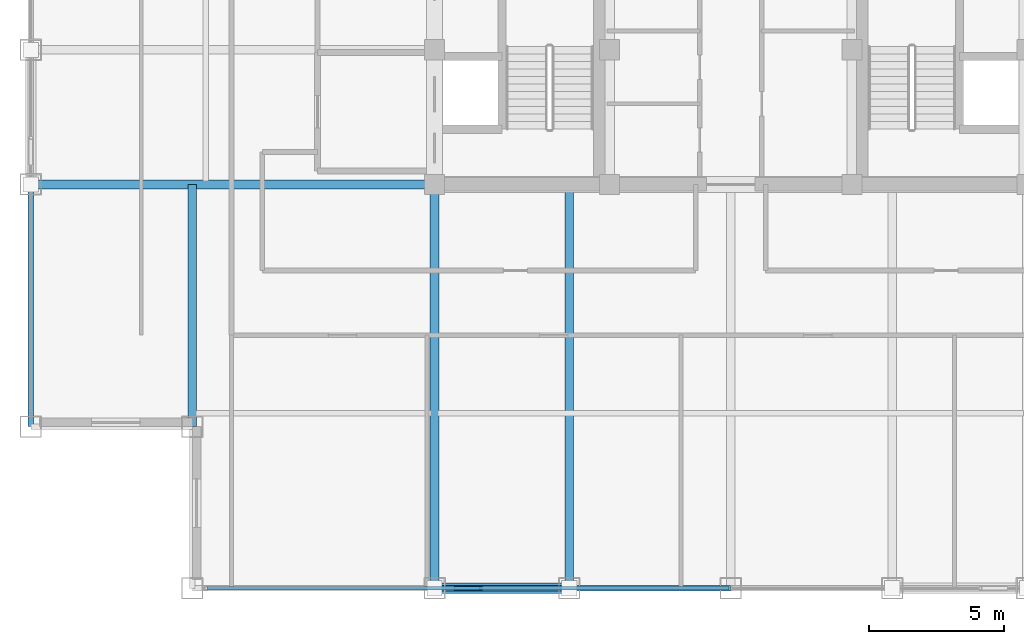
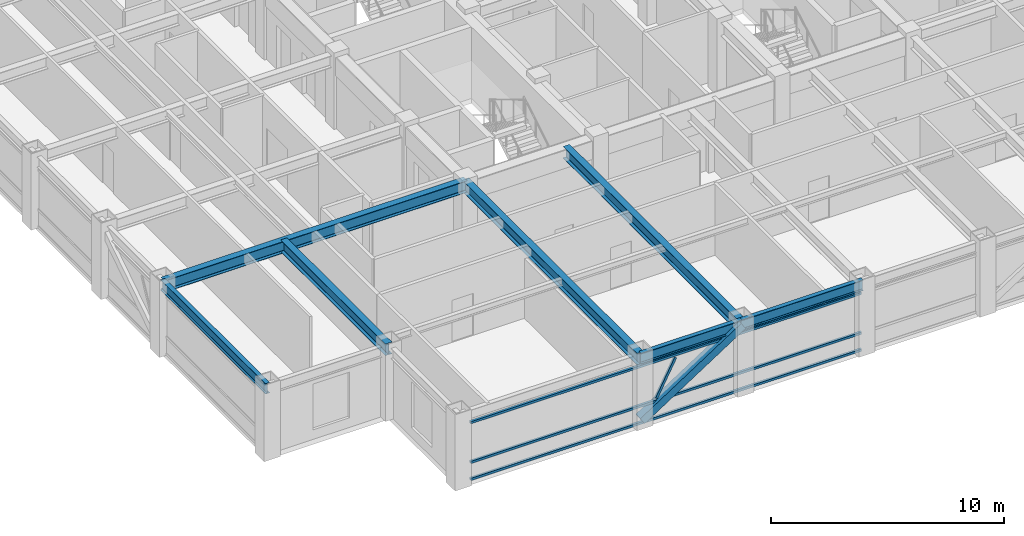
# One storey, part 3 of 28: 7 beams, 5 members, 1 element without a shape of its own.
"""IFC4 building model written with IfcOpenShell, lengths in metres."""

from ifc_helpers import new_model, si_unit, direction, frame, origin, origin_2d, place, context, subcontext, project, spatial, hollow_rectangle, i_section, extrude, source, transform, mapped, material, material_profile, profile_set, type_object, element, aggregate, save


model = new_model("IFC4")

# Units and contexts
model_context = context("Model", 3, precision=1e-05, world=origin(), true_north=direction((0.0, 1.0)))
body_context = subcontext(model_context, "Body", "Model", "MODEL_VIEW")
ifc_project = project(units=[si_unit("LENGTHUNIT", "METRE"), si_unit("AREAUNIT", "SQUARE_METRE"), si_unit("VOLUMEUNIT", "CUBIC_METRE"), si_unit("PLANEANGLEUNIT", "RADIAN"), si_unit("MASSUNIT", "GRAM", prefix="KILO")], contexts=[model_context])

# Site, building, storey
site_placement = place(None, origin())
site = spatial("IfcSite", under=ifc_project, at=site_placement, CompositionType="ELEMENT")
building_placement = place(site_placement, origin())
building = spatial("IfcBuilding", under=site, at=building_placement, Name="Khorayat Bourse Tower", CompositionType="ELEMENT")
storey_placement = place(building_placement, frame((0.0, 0.0, 338.300048828125)))
storey = spatial("IfcBuildingStorey", under=building, at=storey_placement, Name="L80", CompositionType="ELEMENT", Elevation=338.300048828125)

# Beams
ifc_material_1 = material(Name="Steel ASTM A992 Grade 50", Category="steel")
ifc_material_profile_1 = material_profile(ifc_material_1, i_section(OverallWidth=0.214111328125, OverallDepth=0.549072265625, WebThickness=0.0146484375, FlangeThickness=0.023681640625, FilletRadius=0.013916015625, at=origin_2d()), Name="W530X138")
ifc_profile_set_1 = profile_set([ifc_material_profile_1], Name="Steel ASTM A992 Grade 50")
beam_type_1 = type_object("IfcBeamType", Name="BM-SPAN-530", PredefinedType="SPANDREL", material=ifc_profile_set_1)
shared_shape_1 = source(origin(), body_context, "Body", "SweptSolid", [
    extrude(i_section(OverallWidth=0.214111328125, OverallDepth=0.549072265625, WebThickness=0.0146484375, FlangeThickness=0.023681640625, FilletRadius=0.013916015625, at=origin_2d()), origin(), (0.0, 0.0, 1.0), 9.0),
])
beam_1_placement = place(storey_placement, frame((-26.0, -20.0, 3.46533203125), z_axis=(0.0, 1.0, 0.0), x_axis=(-1.0, 0.0, 0.0)))
element("IfcBeam", 1, at=beam_1_placement, inside=storey, type_object=beam_type_1, Name="L80 BM-SPAN-530 BM-L80-SPN-053", PredefinedType="SPANDREL", context=body_context, shape_type="MappedRepresentation", body=[
    mapped(shared_shape_1, transform((0.0, 0.0, 0.0), scale=1.0)),
])
shared_shape_2 = source(origin(), body_context, "Body", "SweptSolid", [
    extrude(i_section(OverallWidth=0.214111328125, OverallDepth=0.549072265625, WebThickness=0.0146484375, FlangeThickness=0.023681640625, FilletRadius=0.013916015625, at=origin_2d()), origin(), (0.0, 0.0, 1.0), 5.0),
])
beam_2_placement = place(storey_placement, frame((-11.0, -26.0, 3.46533203125), z_axis=(1.0, 0.0, 0.0), x_axis=(0.0, 1.0, 0.0)))
element("IfcBeam", 2, at=beam_2_placement, inside=storey, type_object=beam_type_1, Name="L80 BM-SPAN-530 BM-L80-SPN-025", PredefinedType="SPANDREL", context=body_context, shape_type="MappedRepresentation", body=[
    mapped(shared_shape_2, transform((0.0, 0.0, 0.0), scale=1.0)),
])
shared_shape_3 = source(origin(), body_context, "Body", "SweptSolid", [
    extrude(i_section(OverallWidth=0.214111328125, OverallDepth=0.549072265625, WebThickness=0.0146484375, FlangeThickness=0.023681640625, FilletRadius=0.013916015625, at=origin_2d()), origin(), (0.0, 0.0, 1.0), 6.0),
])
beam_3_placement = place(storey_placement, frame((-6.0, -26.0, 3.46533203125), z_axis=(1.0, 0.0, 0.0), x_axis=(0.0, 1.0, 0.0)))
element("IfcBeam", 3, at=beam_3_placement, inside=storey, type_object=beam_type_1, Name="L80 BM-SPAN-530 BM-L80-SPN-026", PredefinedType="SPANDREL", context=body_context, shape_type="MappedRepresentation", body=[
    mapped(shared_shape_3, transform((0.0, 0.0, 0.0), scale=1.0)),
])
ifc_material_profile_2 = material_profile(ifc_material_1, i_section(OverallWidth=0.324951171875, OverallDepth=0.615966796875, WebThickness=0.013916015625, FlangeThickness=0.021484375, FilletRadius=0.01611328125, at=origin_2d()), Name="W610X174")
ifc_profile_set_2 = profile_set([ifc_material_profile_2], Name="Steel ASTM A992 Grade 50")
beam_type_2 = type_object("IfcBeamType", Name="BM-GIRD-610", PredefinedType="BEAM", material=ifc_profile_set_2)
shared_shape_4 = source(origin(), body_context, "Body", "SweptSolid", [
    extrude(i_section(OverallWidth=0.324951171875, OverallDepth=0.615966796875, WebThickness=0.013916015625, FlangeThickness=0.021484375, FilletRadius=0.01611328125, at=origin_2d()), origin(), (0.0, 0.0, 1.0), 15.0),
])
for number, where, z_axis, x_axis, name in (
    (4, (-11.0, -26.0, 3.431884765625), (0.0, 1.0, 0.0), (-1.0, 0.0, 0.0), "L80 BM-GIRD-610 BM-L80-RADY-057"),
    (5, (-6.0, -26.0, 3.431884765625), (0.0, 1.0, 0.0), (-1.0, 0.0, 0.0), "L80 BM-GIRD-610 BM-L80-RADY-059"),
    (6, (-26.0, -11.0, 3.431884765625), (1.0, 0.0, 0.0), (0.0, 1.0, 0.0), "L80 BM-GIRD-610 BM-L80-RADX-067"),
):
    element("IfcBeam", number, at=place(storey_placement, frame(where, z_axis=z_axis, x_axis=x_axis)), inside=storey, type_object=beam_type_2, Name=name, PredefinedType="BEAM", context=body_context, shape_type="MappedRepresentation", body=[
        mapped(shared_shape_4, transform((0.0, 0.0, 0.0), scale=1.0)),
    ])
shared_shape_5 = source(origin(), body_context, "Body", "SweptSolid", [
    extrude(i_section(OverallWidth=0.324951171875, OverallDepth=0.615966796875, WebThickness=0.013916015625, FlangeThickness=0.021484375, FilletRadius=0.01611328125, at=origin_2d()), origin(), (0.0, 0.0, 1.0), 9.0),
])
beam_4_placement = place(storey_placement, frame((-20.0, -20.0, 3.431884765625), z_axis=(0.0, 1.0, 0.0), x_axis=(-1.0, 0.0, 0.0)))
element("IfcBeam", 7, at=beam_4_placement, inside=storey, type_object=beam_type_2, Name="L80 BM-GIRD-610 BM-L80-CNRY-076", PredefinedType="BEAM", context=body_context, shape_type="MappedRepresentation", body=[
    mapped(shared_shape_5, transform((0.0, 0.0, 0.0), scale=1.0)),
])

# Member
ifc_material_2 = material(Name="Steel EN 10025-4 S460M", Category="steel")
ifc_material_profile_3 = material_profile(ifc_material_2, hollow_rectangle(XDim=0.39990234375, YDim=0.39990234375, WallThickness=0.02197265625, at=origin_2d()), Name="HSS 400x400x22")
ifc_profile_set_3 = profile_set([ifc_material_profile_3], Name="Steel EN 10025-4 S460M")
member_type_1 = type_object("IfcMemberType", Name="MBR-TUBE-400", PredefinedType="BRACE", material=ifc_profile_set_3)
shared_shape_6 = source(origin(), body_context, "Body", "SweptSolid", [
    extrude(hollow_rectangle(XDim=0.39990234375, YDim=0.39990234375, WallThickness=0.02197265625, at=origin_2d()), origin(), (0.0, 0.0, 1.0), 5.9580078125),
])
member_1_placement = place(storey_placement, frame((-11.0, -26.0, 0.25), z_axis=(0.839210474455, 0.0, 0.543806748364), x_axis=(0.0, 1.0, 0.0)))
element("IfcMember", 8, at=member_1_placement, inside=storey, type_object=member_type_1, Name="L80 Perimeter Tube Brace 01", PredefinedType="BRACE", context=body_context, shape_type="MappedRepresentation", body=[
    mapped(shared_shape_6, transform((0.0, 0.0, 0.0), scale=1.0)),
])

# Curtain wall, members
ifc_material_3 = material(Name="Aluminium EN AW-6063 T6", Category="aluminium")
curtain_wall_type = type_object("IfcCurtainWallType", Name="CW-SYS-04", PredefinedType="NOTDEFINED", material=ifc_material_3)
curtain_wall_placement = place(storey_placement, origin())
curtain_wall = element("IfcCurtainWall", 9, at=curtain_wall_placement, inside=storey, type_object=curtain_wall_type, Name="L80 Curtain Wall CW-L80-S1", PredefinedType="NOTDEFINED")
ifc_material_profile_4 = material_profile(ifc_material_3, hollow_rectangle(XDim=0.1201171875, YDim=0.1201171875, WallThickness=0.0048828125, at=origin_2d()), Name="ALU 120x120x5")
ifc_profile_set_4 = profile_set([ifc_material_profile_4], Name="Aluminium EN AW-6063 T6")
member_type_2 = type_object("IfcMemberType", Name="CWM-DIAG-120", PredefinedType="MULLION", material=ifc_profile_set_4)
shared_shape_7 = source(origin(), body_context, "Body", "SweptSolid", [
    extrude(hollow_rectangle(XDim=0.1201171875, YDim=0.1201171875, WallThickness=0.0048828125, at=origin_2d()), origin(), (0.0, 0.0, 1.0), 2.0341796875),
])
member_2_placement = place(storey_placement, frame((-10.21875, -26.0, 1.08984375), z_axis=(0.465790950955, 0.0, 0.884894790361), x_axis=(0.0, 1.0, 0.0)))
member_2 = element("IfcMember", 10, at=member_2_placement, type_object=member_type_2, Name="CW-L80-S1 Faceted Diagonal Mullion 1", PredefinedType="MULLION", context=body_context, shape_type="MappedRepresentation", body=[
    mapped(shared_shape_7, transform((0.0, 0.0, 0.0), scale=1.0)),
])
ifc_material_profile_5 = material_profile(ifc_material_3, hollow_rectangle(XDim=0.1201171875, YDim=0.1201171875, WallThickness=0.0048828125, at=origin_2d()), Name="ALU 120x120x5")
ifc_profile_set_5 = profile_set([ifc_material_profile_5], Name="Aluminium EN AW-6063 T6")
member_type_3 = type_object("IfcMemberType", Name="CWT-HORZ-120", PredefinedType="USERDEFINED", material=ifc_profile_set_5)
shared_shape_8 = source(origin(), body_context, "Body", "SweptSolid", [
    extrude(hollow_rectangle(XDim=0.1201171875, YDim=0.1201171875, WallThickness=0.0048828125, at=origin_2d()), origin(), (0.0, 0.0, 1.0), 19.369873046875),
])
member_3_placement = place(storey_placement, frame((-19.429931640625, -26.0, 0.06005859375), z_axis=(1.0, 0.0, 0.0), x_axis=(0.0, 1.0, 0.0)))
member_3 = element("IfcMember", 11, at=member_3_placement, type_object=member_type_3, Name="CW-L80-S1 Horizontal Transom 1-1", ObjectType="TRANSOM", PredefinedType="USERDEFINED", context=body_context, shape_type="MappedRepresentation", body=[
    mapped(shared_shape_8, transform((0.0, 0.0, 0.0), scale=1.0)),
])
member_4_placement = place(storey_placement, frame((-19.429931640625, -26.0, 0.949951171875), z_axis=(1.0, 0.0, 0.0), x_axis=(0.0, 1.0, 0.0)))
member_4 = element("IfcMember", 12, at=member_4_placement, type_object=member_type_3, Name="CW-L80-S1 Horizontal Transom 1-2", ObjectType="TRANSOM", PredefinedType="USERDEFINED", context=body_context, shape_type="MappedRepresentation", body=[
    mapped(shared_shape_8, transform((0.0, 0.0, 0.0), scale=1.0)),
])
member_5_placement = place(storey_placement, frame((-19.429931640625, -26.0, 3.030029296875), z_axis=(1.0, 0.0, 0.0), x_axis=(0.0, 1.0, 0.0)))
member_5 = element("IfcMember", 13, at=member_5_placement, type_object=member_type_3, Name="CW-L80-S1 Horizontal Transom 1-3", ObjectType="TRANSOM", PredefinedType="USERDEFINED", context=body_context, shape_type="MappedRepresentation", body=[
    mapped(shared_shape_8, transform((0.0, 0.0, 0.0), scale=1.0)),
])
aggregate(curtain_wall, [member_3, member_4, member_5, member_2])

save(model, "model.ifc")
